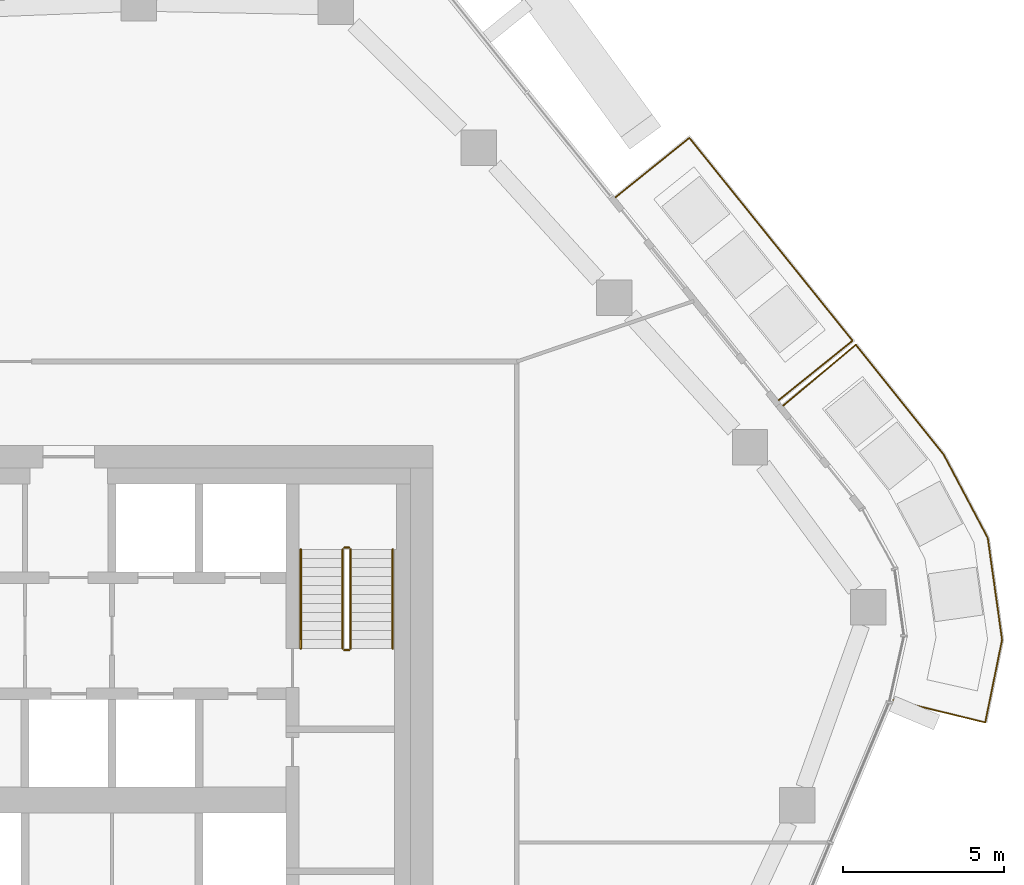
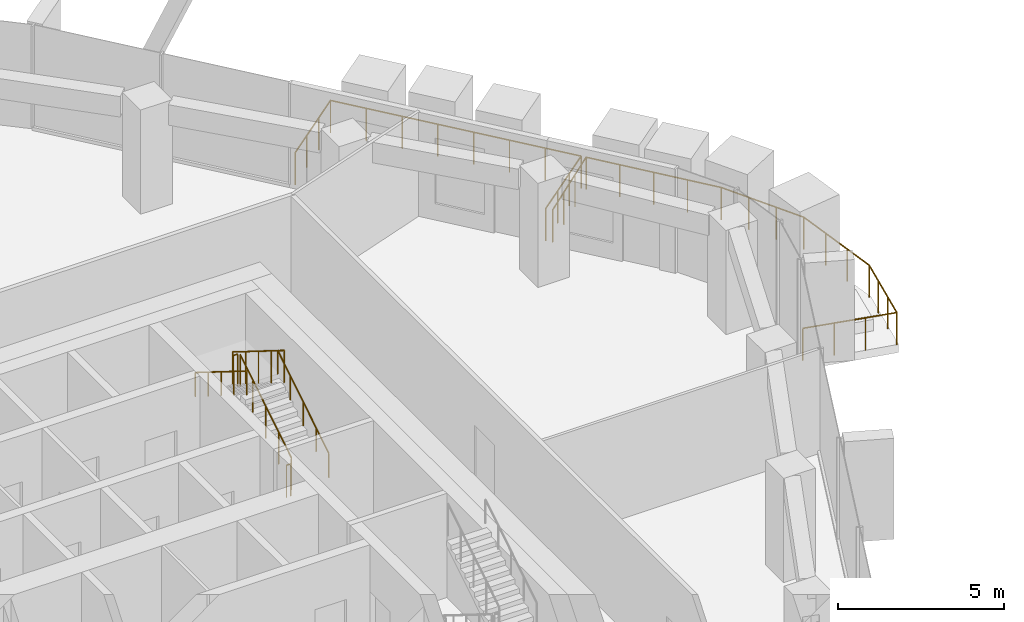
# One storey, part 19 of 20: 8 railings.
"""IFC4 building model written with IfcOpenShell, lengths in metres."""

from ifc_helpers import new_model, si_unit, direction, frame, origin, origin_2d, place, context, subcontext, project, spatial, circle, extrude, material, type_object, element, save


model = new_model("IFC4")

# Units and contexts
model_context = context("Model", 3, precision=1e-05, world=origin(), true_north=direction((0.0, 1.0)))
body_context = subcontext(model_context, "Body", "Model", "MODEL_VIEW")
ifc_project = project(units=[si_unit("LENGTHUNIT", "METRE"), si_unit("AREAUNIT", "SQUARE_METRE"), si_unit("VOLUMEUNIT", "CUBIC_METRE"), si_unit("PLANEANGLEUNIT", "RADIAN"), si_unit("MASSUNIT", "GRAM", prefix="KILO")], contexts=[model_context])

# Site, building, storey
site_placement = place(None, origin())
site = spatial("IfcSite", under=ifc_project, at=site_placement, CompositionType="ELEMENT")
building_placement = place(site_placement, origin())
building = spatial("IfcBuilding", under=site, at=building_placement, Name="Dongbaek Canopy Tower", CompositionType="ELEMENT")
storey_placement = place(building_placement, frame((0.0, 0.0, 253.800048828125)))
storey = spatial("IfcBuildingStorey", under=building, at=storey_placement, Name="L53", CompositionType="ELEMENT", Elevation=253.800048828125)

# Railings
ifc_material_1 = material(Name="Stainless steel", Category="steel")
railing_type_1 = type_object("IfcRailingType", Name="Balcony balustrade 1200", PredefinedType="BALUSTRADE", material=ifc_material_1)
railing_1_placement = place(storey_placement, frame((24.720947265625, 12.40380859375, 0.0)))
element("IfcRailing", 1, at=railing_1_placement, inside=storey, type_object=railing_type_1, Name="Balcony guard L53 1", PredefinedType="BALUSTRADE", context=body_context, shape_type="SweptSolid", body=[
    extrude(circle(Radius=0.02392578125, at=origin_2d()), frame((0.0, 0.0, 1.17578125), z_axis=(0.779180828262, 0.6267991998, 0.0), x_axis=(-0.6267991998, 0.779180828262, 0.0)), (0.0, 0.0, 1.0), 2.93994140625),
    extrude(circle(Radius=0.02392578125, at=origin_2d()), frame((2.290771484375, 1.8427734375, 1.17578125), z_axis=(-0.626853634745, 0.779137035834, 0.0), x_axis=(-0.779137035834, -0.626853634745, 0.0)), (0.0, 0.0, 1.0), 8.07373046875),
    extrude(circle(Radius=0.02392578125, at=origin_2d()), frame((-2.770263671875, 8.13330078125, 1.17578125), z_axis=(-0.779140271984, -0.626849612406, 0.0), x_axis=(0.626849612406, -0.779140271984, 0.0)), (0.0, 0.0, 1.0), 2.940185546875),
    extrude(circle(Radius=0.02099609375, at=origin_2d()), origin(), (0.0, 0.0, 1.0), 1.15185546875),
    extrude(circle(Radius=0.02099609375, at=origin_2d()), frame((0.763671875, 0.6142578125, 0.0)), (0.0, 0.0, 1.0), 1.15185546875),
    extrude(circle(Radius=0.02099609375, at=origin_2d()), frame((1.527099609375, 1.228515625, 0.0)), (0.0, 0.0, 1.0), 1.15185546875),
    extrude(circle(Radius=0.02099609375, at=origin_2d()), frame((2.290771484375, 1.8427734375, 0.0)), (0.0, 0.0, 1.0), 1.15185546875),
    extrude(circle(Radius=0.02099609375, at=origin_2d()), frame((1.56787109375, 2.741455078125, 0.0)), (0.0, 0.0, 1.0), 1.15185546875),
    extrude(circle(Radius=0.02099609375, at=origin_2d()), frame((0.8447265625, 3.64013671875, 0.0)), (0.0, 0.0, 1.0), 1.15185546875),
    extrude(circle(Radius=0.02099609375, at=origin_2d()), frame((0.121826171875, 4.538818359375, 0.0)), (0.0, 0.0, 1.0), 1.15185546875),
    extrude(circle(Radius=0.02099609375, at=origin_2d()), frame((-0.601318359375, 5.437255859375, 0.0)), (0.0, 0.0, 1.0), 1.15185546875),
    extrude(circle(Radius=0.02099609375, at=origin_2d()), frame((-1.32421875, 6.3359375, 0.0)), (0.0, 0.0, 1.0), 1.15185546875),
    extrude(circle(Radius=0.02099609375, at=origin_2d()), frame((-2.04736328125, 7.234619140625, 0.0)), (0.0, 0.0, 1.0), 1.15185546875),
    extrude(circle(Radius=0.02099609375, at=origin_2d()), frame((-2.770263671875, 8.13330078125, 0.0)), (0.0, 0.0, 1.0), 1.15185546875),
    extrude(circle(Radius=0.02099609375, at=origin_2d()), frame((-3.533935546875, 7.51904296875, 0.0)), (0.0, 0.0, 1.0), 1.15185546875),
    extrude(circle(Radius=0.02099609375, at=origin_2d()), frame((-4.29736328125, 6.904541015625, 0.0)), (0.0, 0.0, 1.0), 1.15185546875),
    extrude(circle(Radius=0.02099609375, at=origin_2d()), frame((-5.06103515625, 6.290283203125, 0.0)), (0.0, 0.0, 1.0), 1.15185546875),
])
railing_2_placement = place(storey_placement, frame((28.269287109375, 3.107177734375, 0.0)))
element("IfcRailing", 2, at=railing_2_placement, inside=storey, type_object=railing_type_1, Name="Balcony guard L53 5", PredefinedType="BALUSTRADE", context=body_context, shape_type="SweptSolid", body=[
    extrude(circle(Radius=0.02392578125, at=origin_2d()), frame((0.0, 0.0, 1.17578125), z_axis=(0.971504021422, -0.237023071369, 0.0), x_axis=(0.237023071369, 0.971504021422, 0.0)), (0.0, 0.0, 1.0), 2.940673828125),
    extrude(circle(Radius=0.02392578125, at=origin_2d()), frame((2.85693359375, -0.697021484375, 1.17578125), z_axis=(0.199455050694, 0.979906976581, 0.0), x_axis=(-0.979906976581, 0.199455050694, 0.0)), (0.0, 0.0, 1.0), 2.614501953125),
    extrude(circle(Radius=0.02392578125, at=origin_2d()), frame((3.37841796875, 1.864990234375, 1.17578125), z_axis=(-0.139212593341, 0.990262517646, 0.0), x_axis=(-0.990262517646, -0.139212593341, 0.0)), (0.0, 0.0, 1.0), 3.188232421875),
    extrude(circle(Radius=0.02392578125, at=origin_2d()), frame((2.9345703125, 5.022216796875, 1.17578125), z_axis=(-0.467282182104, 0.884108229963, 0.0), x_axis=(-0.884108229963, -0.467282182104, 0.0)), (0.0, 0.0, 1.0), 2.927490234375),
    extrude(circle(Radius=0.02392578125, at=origin_2d()), frame((1.566650390625, 7.6103515625, 1.17578125), z_axis=(-0.624729189866, 0.78084149437, 0.0), x_axis=(-0.78084149437, -0.624729189866, 0.0)), (0.0, 0.0, 1.0), 4.360107421875),
    extrude(circle(Radius=0.02392578125, at=origin_2d()), frame((-1.1572265625, 11.014892578125, 1.17578125), z_axis=(-0.766169127409, -0.642638987461, 0.0), x_axis=(0.642638987461, -0.766169127409, 0.0)), (0.0, 0.0, 1.0), 2.94091796875),
    extrude(circle(Radius=0.02099609375, at=origin_2d()), origin(), (0.0, 0.0, 1.0), 1.15185546875),
    extrude(circle(Radius=0.02099609375, at=origin_2d()), frame((0.952392578125, -0.232421875, 0.0)), (0.0, 0.0, 1.0), 1.15185546875),
    extrude(circle(Radius=0.02099609375, at=origin_2d()), frame((1.904541015625, -0.464599609375, 0.0)), (0.0, 0.0, 1.0), 1.15185546875),
    extrude(circle(Radius=0.02099609375, at=origin_2d()), frame((2.85693359375, -0.697021484375, 0.0)), (0.0, 0.0, 1.0), 1.15185546875),
    extrude(circle(Radius=0.02099609375, at=origin_2d()), frame((3.03076171875, 0.156982421875, 0.0)), (0.0, 0.0, 1.0), 1.15185546875),
    extrude(circle(Radius=0.02099609375, at=origin_2d()), frame((3.20458984375, 1.010986328125, 0.0)), (0.0, 0.0, 1.0), 1.15185546875),
    extrude(circle(Radius=0.02099609375, at=origin_2d()), frame((3.37841796875, 1.864990234375, 0.0)), (0.0, 0.0, 1.0), 1.15185546875),
    extrude(circle(Radius=0.02099609375, at=origin_2d()), frame((3.23046875, 2.91748046875, 0.0)), (0.0, 0.0, 1.0), 1.15185546875),
    extrude(circle(Radius=0.02099609375, at=origin_2d()), frame((3.08251953125, 3.9697265625, 0.0)), (0.0, 0.0, 1.0), 1.15185546875),
    extrude(circle(Radius=0.02099609375, at=origin_2d()), frame((2.9345703125, 5.022216796875, 0.0)), (0.0, 0.0, 1.0), 1.15185546875),
    extrude(circle(Radius=0.02099609375, at=origin_2d()), frame((2.478515625, 5.885009765625, 0.0)), (0.0, 0.0, 1.0), 1.15185546875),
    extrude(circle(Radius=0.02099609375, at=origin_2d()), frame((2.022705078125, 6.74755859375, 0.0)), (0.0, 0.0, 1.0), 1.15185546875),
    extrude(circle(Radius=0.02099609375, at=origin_2d()), frame((1.566650390625, 7.6103515625, 0.0)), (0.0, 0.0, 1.0), 1.15185546875),
    extrude(circle(Radius=0.02099609375, at=origin_2d()), frame((0.8857421875, 8.46142578125, 0.0)), (0.0, 0.0, 1.0), 1.15185546875),
    extrude(circle(Radius=0.02099609375, at=origin_2d()), frame((0.20458984375, 9.3125, 0.0)), (0.0, 0.0, 1.0), 1.15185546875),
    extrude(circle(Radius=0.02099609375, at=origin_2d()), frame((-0.476318359375, 10.163818359375, 0.0)), (0.0, 0.0, 1.0), 1.15185546875),
    extrude(circle(Radius=0.02099609375, at=origin_2d()), frame((-1.1572265625, 11.014892578125, 0.0)), (0.0, 0.0, 1.0), 1.15185546875),
    extrude(circle(Radius=0.02099609375, at=origin_2d()), frame((-1.908203125, 10.385009765625, 0.0)), (0.0, 0.0, 1.0), 1.15185546875),
    extrude(circle(Radius=0.02099609375, at=origin_2d()), frame((-2.659423828125, 9.7548828125, 0.0)), (0.0, 0.0, 1.0), 1.15185546875),
    extrude(circle(Radius=0.02099609375, at=origin_2d()), frame((-3.410400390625, 9.125, 0.0)), (0.0, 0.0, 1.0), 1.15185546875),
])
ifc_material_2 = material(Name="Stainless steel tube and balusters", Category="steel")
railing_type_2 = type_object("IfcRailingType", Name="Stair guard 1200", PredefinedType="GUARDRAIL", material=ifc_material_2)
railing_3_placement = place(storey_placement, frame((11.449951171875, 4.699951171875, 0.175048828125)))
element("IfcRailing", 3, at=railing_3_placement, inside=storey, type_object=railing_type_2, Name="L53 ST-A stair guard 1", PredefinedType="GUARDRAIL", context=body_context, shape_type="SweptSolid", body=[
    extrude(circle(Radius=0.02392578125, at=origin_2d()), frame((0.0, 0.0, 1.17578125), z_axis=(0.0, 0.848028513186, 0.529950602248), x_axis=(-1.0, 0.0, 0.0)), (0.0, 0.0, 1.0), 3.632080078125),
    extrude(circle(Radius=0.02099609375, at=origin_2d()), origin(), (0.0, 0.0, 1.0), 1.15185546875),
    extrude(circle(Radius=0.02099609375, at=origin_2d()), frame((0.0, 0.77001953125, 0.481201171875)), (0.0, 0.0, 1.0), 1.15185546875),
    extrude(circle(Radius=0.02099609375, at=origin_2d()), frame((0.0, 1.5400390625, 0.96240234375)), (0.0, 0.0, 1.0), 1.15185546875),
    extrude(circle(Radius=0.02099609375, at=origin_2d()), frame((0.0, 2.31005859375, 1.443603515625)), (0.0, 0.0, 1.0), 1.15185546875),
    extrude(circle(Radius=0.02099609375, at=origin_2d()), frame((0.0, 3.080078125, 1.9248046875)), (0.0, 0.0, 1.0), 1.15185546875),
])
railing_4_placement = place(storey_placement, frame((11.39990234375, 7.830078125, 2.099853515625)))
element("IfcRailing", 4, at=railing_4_placement, inside=storey, type_object=railing_type_2, Name="L53 ST-A stair guard 2", PredefinedType="GUARDRAIL", context=body_context, shape_type="SweptSolid", body=[
    extrude(circle(Radius=0.02392578125, at=origin_2d()), frame((0.0, 0.0, 1.17578125), z_axis=(-1.0, 0.0, 0.0), x_axis=(0.0, -1.0, 0.0)), (0.0, 0.0, 1.0), 0.14990234375),
    extrude(circle(Radius=0.02099609375, at=origin_2d()), origin(), (0.0, 0.0, 1.0), 1.15185546875),
    extrude(circle(Radius=0.02099609375, at=origin_2d()), frame((-0.14990234375, 0.0, 0.0)), (0.0, 0.0, 1.0), 1.15185546875),
])
railing_5_placement = place(storey_placement, frame((11.199951171875, 7.780029296875, 2.27490234375)))
element("IfcRailing", 5, at=railing_5_placement, inside=storey, type_object=railing_type_2, Name="L53 ST-A stair guard 3", PredefinedType="GUARDRAIL", context=body_context, shape_type="SweptSolid", body=[
    extrude(circle(Radius=0.02392578125, at=origin_2d()), frame((0.0, 0.0, 1.17578125), z_axis=(0.0, -0.847998304005, 0.529998940003), x_axis=(1.0, 0.0, 0.0)), (0.0, 0.0, 1.0), 3.632080078125),
    extrude(circle(Radius=0.02099609375, at=origin_2d()), origin(), (0.0, 0.0, 1.0), 1.15185546875),
    extrude(circle(Radius=0.02099609375, at=origin_2d()), frame((0.0, -0.77001953125, 0.481201171875)), (0.0, 0.0, 1.0), 1.15185546875),
    extrude(circle(Radius=0.02099609375, at=origin_2d()), frame((0.0, -1.5400390625, 0.96240234375)), (0.0, 0.0, 1.0), 1.15185546875),
    extrude(circle(Radius=0.02099609375, at=origin_2d()), frame((0.0, -2.31005859375, 1.44384765625)), (0.0, 0.0, 1.0), 1.15185546875),
    extrude(circle(Radius=0.02099609375, at=origin_2d()), frame((0.0, -3.080078125, 1.925048828125)), (0.0, 0.0, 1.0), 1.15185546875),
])
railing_6_placement = place(storey_placement, frame((11.39990234375, 4.64990234375, 0.0)))
element("IfcRailing", 6, at=railing_6_placement, inside=storey, type_object=railing_type_2, Name="L53 ST-A stair guard 4", PredefinedType="GUARDRAIL", context=body_context, shape_type="SweptSolid", body=[
    extrude(circle(Radius=0.02392578125, at=origin_2d()), frame((0.0, 0.0, 1.17578125), z_axis=(-1.0, 0.0, 0.0), x_axis=(0.0, -1.0, 0.0)), (0.0, 0.0, 1.0), 0.14990234375),
    extrude(circle(Radius=0.02099609375, at=origin_2d()), origin(), (0.0, 0.0, 1.0), 1.15185546875),
    extrude(circle(Radius=0.02099609375, at=origin_2d()), frame((-0.14990234375, 0.0, 0.0)), (0.0, 0.0, 1.0), 1.15185546875),
])
ifc_material_3 = material(Name="Stainless steel tube", Category="steel")
railing_type_3 = type_object("IfcRailingType", Name="Stair handrail 900", PredefinedType="HANDRAIL", material=ifc_material_3)
railing_7_placement = place(storey_placement, frame((12.75, 4.699951171875, 0.175048828125)))
element("IfcRailing", 7, at=railing_7_placement, inside=storey, type_object=railing_type_3, Name="L53 ST-A stair handrail 1", PredefinedType="HANDRAIL", context=body_context, shape_type="SweptSolid", body=[
    extrude(circle(Radius=0.02392578125, at=origin_2d()), frame((0.0, 0.0, 0.8759765625), z_axis=(0.0, 0.848028513186, 0.529950602248), x_axis=(-1.0, 0.0, 0.0)), (0.0, 0.0, 1.0), 3.632080078125),
    extrude(circle(Radius=0.02099609375, at=origin_2d()), origin(), (0.0, 0.0, 1.0), 0.851806640625),
    extrude(circle(Radius=0.02099609375, at=origin_2d()), frame((0.0, 0.77001953125, 0.481201171875)), (0.0, 0.0, 1.0), 0.851806640625),
    extrude(circle(Radius=0.02099609375, at=origin_2d()), frame((0.0, 1.5400390625, 0.96240234375)), (0.0, 0.0, 1.0), 0.851806640625),
    extrude(circle(Radius=0.02099609375, at=origin_2d()), frame((0.0, 2.31005859375, 1.443603515625)), (0.0, 0.0, 1.0), 0.851806640625),
    extrude(circle(Radius=0.02099609375, at=origin_2d()), frame((0.0, 3.080078125, 1.9248046875)), (0.0, 0.0, 1.0), 0.851806640625),
])
railing_8_placement = place(storey_placement, frame((9.89990234375, 7.780029296875, 2.27490234375)))
element("IfcRailing", 8, at=railing_8_placement, inside=storey, type_object=railing_type_3, Name="L53 ST-A stair handrail 2", PredefinedType="HANDRAIL", context=body_context, shape_type="SweptSolid", body=[
    extrude(circle(Radius=0.02392578125, at=origin_2d()), frame((0.0, 0.0, 0.8759765625), z_axis=(0.0, -0.847998304005, 0.529998940003), x_axis=(1.0, 0.0, 0.0)), (0.0, 0.0, 1.0), 3.632080078125),
    extrude(circle(Radius=0.02099609375, at=origin_2d()), origin(), (0.0, 0.0, 1.0), 0.851806640625),
    extrude(circle(Radius=0.02099609375, at=origin_2d()), frame((0.0, -0.77001953125, 0.481201171875)), (0.0, 0.0, 1.0), 0.851806640625),
    extrude(circle(Radius=0.02099609375, at=origin_2d()), frame((0.0, -1.5400390625, 0.96240234375)), (0.0, 0.0, 1.0), 0.851806640625),
    extrude(circle(Radius=0.02099609375, at=origin_2d()), frame((0.0, -2.31005859375, 1.44384765625)), (0.0, 0.0, 1.0), 0.851806640625),
    extrude(circle(Radius=0.02099609375, at=origin_2d()), frame((0.0, -3.080078125, 1.925048828125)), (0.0, 0.0, 1.0), 0.851806640625),
])

save(model, "model.ifc")
